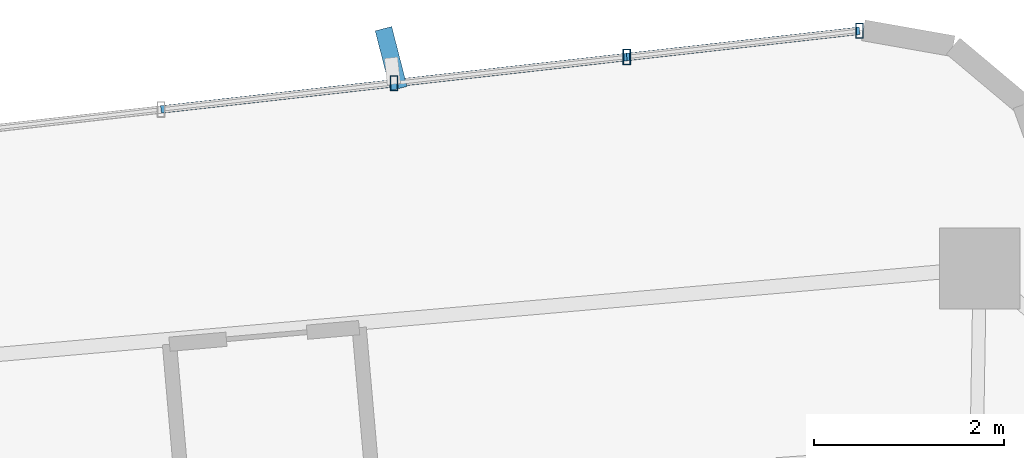
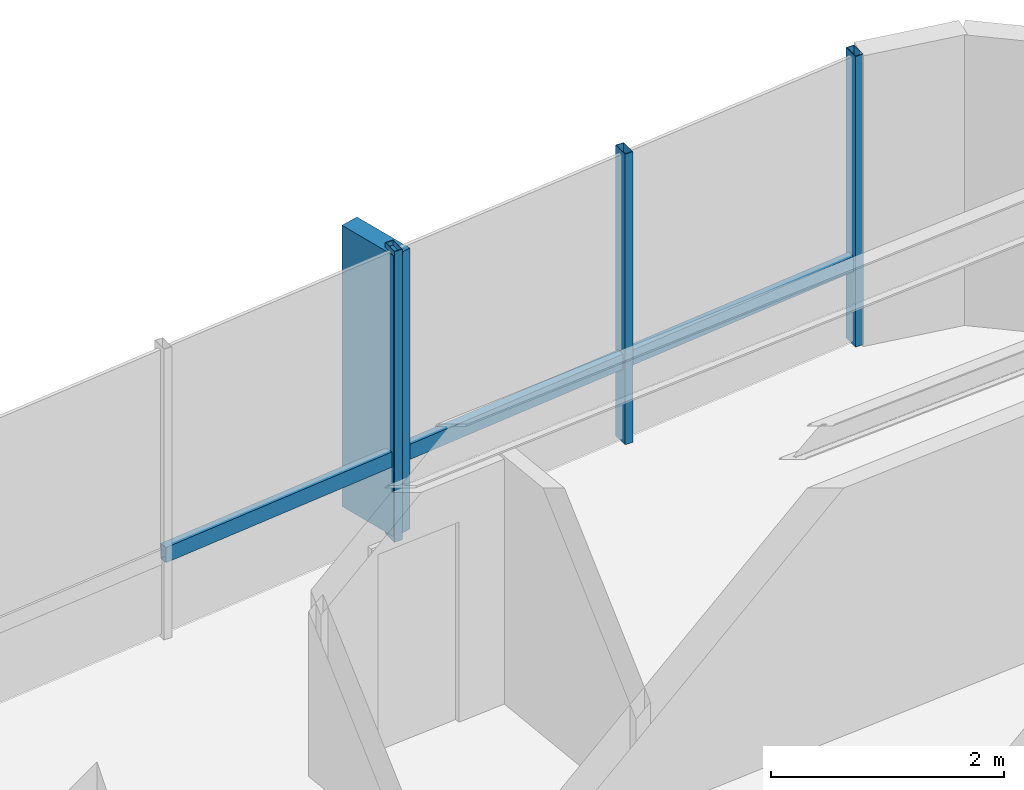
# One storey, part 18 of 24: 7 members, 1 element without a shape of its own.
"""IFC4 building model written with IfcOpenShell, lengths in metres."""

from ifc_helpers import new_model, si_unit, direction, frame, origin, origin_2d, place, context, subcontext, project, spatial, rectangle, hollow_rectangle, extrude, source, transform, mapped, material, material_profile, profile_set, type_object, element, aggregate, save


model = new_model("IFC4")

# Units and contexts
model_context = context("Model", 3, precision=1e-05, world=origin(), true_north=direction((0.0, 1.0)))
body_context = subcontext(model_context, "Body", "Model", "MODEL_VIEW")
ifc_project = project(units=[si_unit("LENGTHUNIT", "METRE"), si_unit("AREAUNIT", "SQUARE_METRE"), si_unit("VOLUMEUNIT", "CUBIC_METRE"), si_unit("PLANEANGLEUNIT", "RADIAN"), si_unit("MASSUNIT", "GRAM", prefix="KILO")], contexts=[model_context])

# Site, building, storey
site_placement = place(None, origin())
site = spatial("IfcSite", under=ifc_project, at=site_placement, CompositionType="ELEMENT")
building_placement = place(site_placement, origin())
building = spatial("IfcBuilding", under=site, at=building_placement, Name="Sahyath Konkavel Grand Hotel", CompositionType="ELEMENT")
storey_placement = place(building_placement, frame((0.0, 0.0, 167.35009765625)))
storey = spatial("IfcBuildingStorey", under=building, at=storey_placement, Name="L46", CompositionType="ELEMENT", Elevation=167.35009765625)

# Curtain wall, members
ifc_material_1 = material(Name="Anodised Bronze Aluminium & Low-E Glazing", Category="aluminium")
curtain_wall_type = type_object("IfcCurtainWallType", Name="CW-ZONE3", PredefinedType="NOTDEFINED", material=ifc_material_1)
curtain_wall_placement = place(storey_placement, origin())
curtain_wall = element("IfcCurtainWall", 1, at=curtain_wall_placement, inside=storey, type_object=curtain_wall_type, Name="L46 Unitised Curtain Wall F12", PredefinedType="NOTDEFINED")
ifc_material_2 = material(Name="Anodised Bronze Aluminium", Category="aluminium")
ifc_material_profile_1 = material_profile(ifc_material_2, hollow_rectangle(XDim=0.080078125, YDim=0.159912109375, WallThickness=0.006103515625, at=origin_2d()), Name="RHS 160x80x6")
ifc_profile_set_1 = profile_set([ifc_material_profile_1], Name="Anodised Bronze Aluminium")
member_type_1 = type_object("IfcMemberType", Name="CW-MUL-160", PredefinedType="MULLION", material=ifc_profile_set_1)
shared_shape_1 = source(origin(), body_context, "Body", "SweptSolid", [
    extrude(hollow_rectangle(XDim=0.080078125, YDim=0.159912109375, WallThickness=0.006103515625, at=origin_2d()), origin(), (0.0, 0.0, 1.0), 3.0498046875),
])
member_1_placement = place(storey_placement, frame((2.673828125, 20.610595703125, 0.0), z_axis=(0.0, 0.0, 1.0), x_axis=(1.0, 0.0, 0.0)))
member_1 = element("IfcMember", 2, at=member_1_placement, type_object=member_type_1, Name="L46 Curtain Wall Mullion F12-0", PredefinedType="MULLION", context=body_context, shape_type="MappedRepresentation", body=[
    mapped(shared_shape_1, transform((0.0, 0.0, 0.0), scale=1.0)),
])
member_2_placement = place(storey_placement, frame((0.227294921875, 20.334716796875, 0.0), z_axis=(0.0, 0.0, 1.0), x_axis=(1.0, 0.0, 0.0)))
member_2 = element("IfcMember", 3, at=member_2_placement, type_object=member_type_1, Name="L46 Curtain Wall Mullion F12-1", PredefinedType="MULLION", context=body_context, shape_type="MappedRepresentation", body=[
    mapped(shared_shape_1, transform((0.0, 0.0, 0.0), scale=1.0)),
])
member_3_placement = place(storey_placement, frame((-2.21923828125, 20.05908203125, 0.0), z_axis=(0.0, 0.0, 1.0), x_axis=(1.0, 0.0, 0.0)))
member_3 = element("IfcMember", 4, at=member_3_placement, type_object=member_type_1, Name="L46 Curtain Wall Mullion F12-2", PredefinedType="MULLION", context=body_context, shape_type="MappedRepresentation", body=[
    mapped(shared_shape_1, transform((0.0, 0.0, 0.0), scale=1.0)),
])
ifc_material_3 = material(Name="Warm Buff Sandstone Cladding on Concrete C50/60", Category="masonry")
ifc_material_profile_2 = material_profile(ifc_material_3, rectangle(XDim=0.179931640625, YDim=0.64990234375, at=origin_2d()), Name="FIN 180x650")
ifc_profile_set_2 = profile_set([ifc_material_profile_2], Name="Warm Buff Sandstone Cladding on Concrete C50/60")
member_type_2 = type_object("IfcMemberType", Name="FIN-SANDSTONE-650", PredefinedType="MULLION", material=ifc_profile_set_2)
shared_shape_2 = source(origin(), body_context, "Body", "SweptSolid", [
    extrude(rectangle(XDim=0.179931640625, YDim=0.64990234375, at=origin_2d()), origin(), (0.0, 0.0, 1.0), 2.9501953125),
])
member_4_placement = place(storey_placement, frame((-2.248291015625, 20.3173828125, 0.0498046875), z_axis=(0.0, 0.0, 1.0), x_axis=(0.96862655095, 0.248520833726, 0.0)))
member_4 = element("IfcMember", 5, at=member_4_placement, type_object=member_type_2, Name="L46 Sandstone Vertical Solar Fin FIN F12-2", PredefinedType="MULLION", context=body_context, shape_type="MappedRepresentation", body=[
    mapped(shared_shape_2, transform((0.0, 0.0, 0.0), scale=1.0)),
])
ifc_material_profile_3 = material_profile(ifc_material_2, hollow_rectangle(XDim=0.080078125, YDim=0.159912109375, WallThickness=0.006103515625, at=origin_2d()), Name="RHS 160x80x6")
ifc_profile_set_3 = profile_set([ifc_material_profile_3], Name="Anodised Bronze Aluminium")
member_type_3 = type_object("IfcMemberType", Name="CW-TRN-160", PredefinedType="USERDEFINED", material=ifc_profile_set_3)
shared_shape_3 = source(origin(), body_context, "Body", "SweptSolid", [
    extrude(hollow_rectangle(XDim=0.080078125, YDim=0.159912109375, WallThickness=0.006103515625, at=origin_2d()), origin(), (0.0, 0.0, 1.0), 2.462158203125),
])
member_5_placement = place(storey_placement, frame((2.673828125, 20.610595703125, 0.849853515625), z_axis=(-0.99370222711, -0.112053040279, 0.0), x_axis=(0.112053040279, -0.99370222711, 0.0)))
member_5 = element("IfcMember", 6, at=member_5_placement, type_object=member_type_3, Name="L46 Curtain Wall Transom F12-0-spandrel", ObjectType="TRANSOM", PredefinedType="USERDEFINED", context=body_context, shape_type="MappedRepresentation", body=[
    mapped(shared_shape_3, transform((0.0, 0.0, 0.0), scale=1.0)),
])
member_6_placement = place(storey_placement, frame((-2.21923828125, 20.05908203125, 0.849853515625), z_axis=(-0.99370222711, -0.112053040279, 0.0), x_axis=(0.112053040279, -0.99370222711, 0.0)))
member_6 = element("IfcMember", 7, at=member_6_placement, type_object=member_type_3, Name="L46 Curtain Wall Transom F12-2-spandrel", ObjectType="TRANSOM", PredefinedType="USERDEFINED", context=body_context, shape_type="MappedRepresentation", body=[
    mapped(shared_shape_3, transform((0.0, 0.0, 0.0), scale=1.0)),
])
shared_shape_4 = source(origin(), body_context, "Body", "SweptSolid", [
    extrude(hollow_rectangle(XDim=0.080078125, YDim=0.159912109375, WallThickness=0.006103515625, at=origin_2d()), origin(), (0.0, 0.0, 1.0), 2.4619140625),
])
member_7_placement = place(storey_placement, frame((0.227294921875, 20.334716796875, 0.849853515625), z_axis=(-0.993713263833, -0.111955121731, 0.0), x_axis=(0.111955121731, -0.993713263833, 0.0)))
member_7 = element("IfcMember", 8, at=member_7_placement, type_object=member_type_3, Name="L46 Curtain Wall Transom F12-1-spandrel", ObjectType="TRANSOM", PredefinedType="USERDEFINED", context=body_context, shape_type="MappedRepresentation", body=[
    mapped(shared_shape_4, transform((0.0, 0.0, 0.0), scale=1.0)),
])
aggregate(curtain_wall, [member_1, member_2, member_3, member_4, member_5, member_7, member_6])

save(model, "model.ifc")
